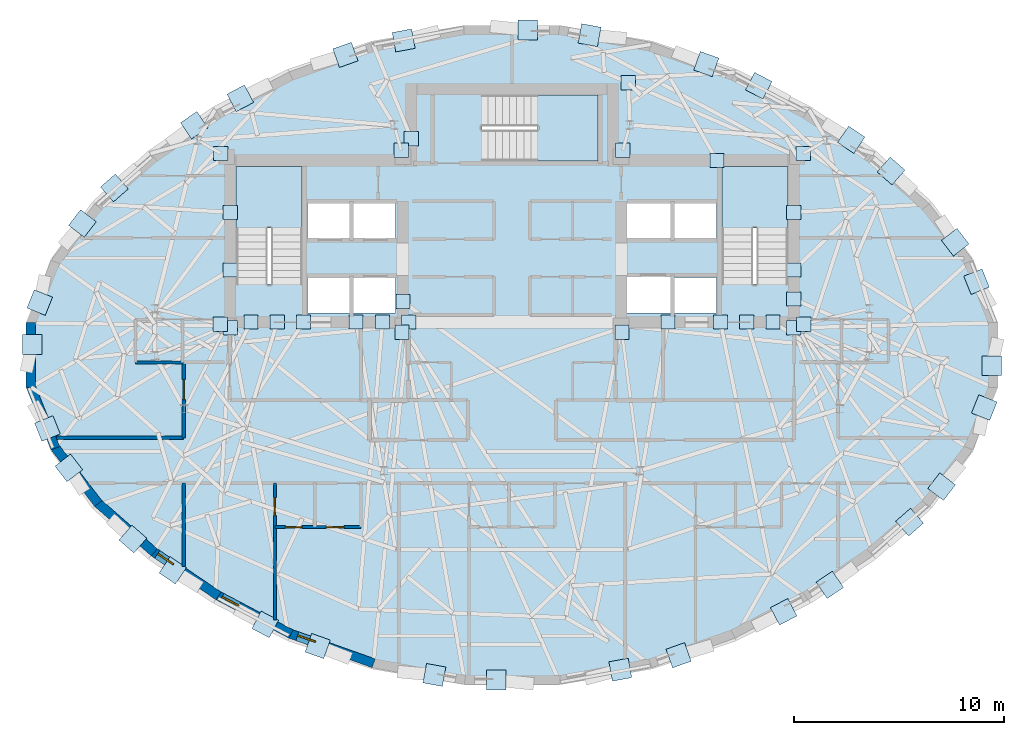
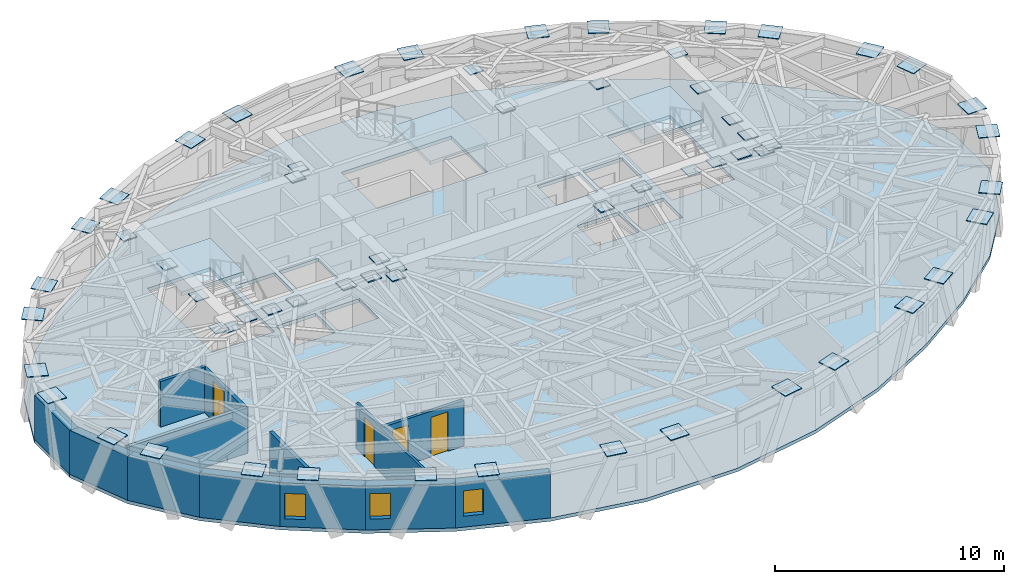
# One storey, part 5 of 13: 61 plates, 13 walls, 4 doors, 4 slabs, 3 windows, 7 openings, 3 elements without a shape of their own.
"""IFC4 building model written with IfcOpenShell, lengths in metres."""

import ifcopenshell
import ifcopenshell.guid

model = None  # the IFC model being written
_history = None  # IfcOwnerHistory: only IFC2X3 demands one
_inside = {}  # id of a spatial element -> (the spatial element, [elements in it])
_under = {}  # id of a project, library or spatial element -> (it, [spatial elements below it])
_declared = {}  # id of a project -> (the project, [libraries it declares])
_typed = {}  # id of a type object -> (the type object, [elements of that type])
_made_of = {}  # id of a material, layer set ... -> (it, [elements and type objects made of it])


def new_model(schema):
    """Start an empty IFC model of exactly this schema.

    Asked for "IFC4X3", IfcOpenShell would pick the latest addendum, in which some entities
    have other attributes; the version numbers below select the first issue.
    IFC2X3 requires an IfcOwnerHistory on every rooted entity: one is made here for all.
    """
    global model, _history
    if schema == "IFC4X3":
        model = ifcopenshell.file(schema_version=(4, 3, 0, 0))
    else:
        model = ifcopenshell.file(schema=schema)
    _inside.clear()
    _under.clear()
    _declared.clear()
    _typed.clear()
    _made_of.clear()
    _history = None
    if model.schema == "IFC2X3":
        org = make("IfcOrganization", Name="unknown")
        user = make(
            "IfcPersonAndOrganization",
            ThePerson=make("IfcPerson", FamilyName="unknown"),
            TheOrganization=org,
        )
        app = make(
            "IfcApplication",
            ApplicationDeveloper=org,
            Version="unknown",
            ApplicationFullName="unknown",
            ApplicationIdentifier="unknown",
        )
        _history = make(
            "IfcOwnerHistory",
            OwningUser=user,
            OwningApplication=app,
            ChangeAction="ADDED",
            CreationDate=0,
        )
    return model


def make(cls, **values):
    """One entity of the class cls with the attributes given. An attribute that is None is left unset."""
    return model.create_entity(
        cls, **{name: value for name, value in values.items() if value is not None}
    )


def rooted(cls, **values):
    """An entity with a GlobalId (a new one), such as an element, a storey or a relation."""
    return make(cls, GlobalId=ifcopenshell.guid.new(), OwnerHistory=_history, **values)


def si_unit(unit_type, name, prefix=None):
    """IfcSIUnit, for example si_unit("LENGTHUNIT", "METRE", prefix="MILLI")."""
    return make("IfcSIUnit", UnitType=unit_type, Prefix=prefix, Name=name)


def assignment(units):
    """IfcUnitAssignment: the units of a project."""
    return None if units is None else make("IfcUnitAssignment", Units=units)


def point(xyz):
    """IfcCartesianPoint."""
    return None if xyz is None else make("IfcCartesianPoint", Coordinates=xyz)


def direction(xyz):
    """IfcDirection."""
    return None if xyz is None else make("IfcDirection", DirectionRatios=xyz)


def frame(location, z_axis=None, x_axis=None):
    """IfcAxis2Placement3D, a coordinate frame: its origin and axes. An axis left out is left unset."""
    return make(
        "IfcAxis2Placement3D",
        Location=point(location),
        Axis=direction(z_axis),
        RefDirection=direction(x_axis),
    )


def frame_2d(location, x_axis=None):
    """IfcAxis2Placement2D, a coordinate frame in the plane: its origin and x axis."""
    return make(
        "IfcAxis2Placement2D", Location=point(location), RefDirection=direction(x_axis)
    )


def origin():
    """The frame at (0, 0, 0) with its axes left unset."""
    return frame((0.0, 0.0, 0.0))


def origin_2d():
    """The frame at (0, 0) in the plane with its x axis left unset."""
    return frame_2d((0.0, 0.0))


def place(relative_to, where):
    """IfcLocalPlacement: puts the frame where relative to a parent placement (None: the world)."""
    return make(
        "IfcLocalPlacement", PlacementRelTo=relative_to, RelativePlacement=where
    )


def context(
    kind, dimensions, precision=None, world=None, true_north=None, identifier=None
):
    """IfcGeometricRepresentationContext, for example the 3D "Model" context."""
    return make(
        "IfcGeometricRepresentationContext",
        ContextIdentifier=identifier,
        ContextType=kind,
        CoordinateSpaceDimension=dimensions,
        Precision=precision,
        WorldCoordinateSystem=world,
        TrueNorth=true_north,
    )


def subcontext(parent, identifier, kind, view, scale=None):
    """IfcGeometricRepresentationSubContext, for example "Body" below "Model"."""
    return make(
        "IfcGeometricRepresentationSubContext",
        ContextIdentifier=identifier,
        ContextType=kind,
        ParentContext=parent,
        TargetScale=scale,
        TargetView=view,
    )


def project(units=None, contexts=None):
    """IfcProject with its units and contexts."""
    return rooted(
        "IfcProject",
        Name="project",
        RepresentationContexts=contexts,
        UnitsInContext=assignment(units),
    )


def spatial(cls, under=None, at=None, **own):
    """A site, building, storey or space (cls), placed at a placement, below another one or the project."""
    s = rooted(cls, ObjectPlacement=at, **own)
    if under is not None:
        _under.setdefault(under.id(), (under, []))[1].append(s)
    return s


def polyline(points):
    """IfcPolyline through the points."""
    return make("IfcPolyline", Points=[point(p) for p in points])


def profile(cls, at=None, kind="AREA", **sizes):
    """A parametric profile (cls). Its sizes go by their IFC names, for example OverallWidth=200.0."""
    return make(cls, ProfileType=kind, Position=at, **sizes)


def rectangle(**sizes):
    """IfcRectangleProfileDef."""
    return profile("IfcRectangleProfileDef", **sizes)


def outline(outer, holes=None, kind="AREA"):
    """IfcArbitraryClosedProfileDef: a profile drawn as a closed curve; with holes, ...WithVoids."""
    if holes is None:
        return make("IfcArbitraryClosedProfileDef", ProfileType=kind, OuterCurve=outer)
    return make(
        "IfcArbitraryProfileDefWithVoids",
        ProfileType=kind,
        OuterCurve=outer,
        InnerCurves=holes,
    )


def extrude(swept, where, along, depth):
    """IfcExtrudedAreaSolid: the profile swept, set in the frame where, extruded along a direction by depth."""
    return make(
        "IfcExtrudedAreaSolid",
        SweptArea=swept,
        Position=where,
        ExtrudedDirection=direction(along),
        Depth=depth,
    )


def shape(context_of_items, identifier, shape_type, items):
    """IfcShapeRepresentation: the items that make up one representation, for example the "Body"."""
    return make(
        "IfcShapeRepresentation",
        ContextOfItems=context_of_items,
        RepresentationIdentifier=identifier,
        RepresentationType=shape_type,
        Items=items,
    )


def material(Name=None, Category=None):
    """IfcMaterial."""
    return make("IfcMaterial", Name=Name, Category=Category)


def layer(
    of_material, thickness, ventilated=None, Name=None, Category=None, Priority=None
):
    """IfcMaterialLayer: one layer of a wall or slab, of a material (None: an air gap)."""
    return make(
        "IfcMaterialLayer",
        Material=of_material,
        LayerThickness=thickness,
        IsVentilated=ventilated,
        Name=Name,
        Category=Category,
        Priority=Priority,
    )


def layer_set(layers, Name=None):
    """IfcMaterialLayerSet."""
    return make("IfcMaterialLayerSet", MaterialLayers=layers, LayerSetName=Name)


def made_of(thing, what):
    """Note that an element or type object is made of a material, layer set ...; save() writes the relation."""
    if what is not None:
        _made_of.setdefault(what.id(), (what, []))[1].append(thing)
    return thing


def type_object(cls, material=None, **own):
    """A type object (cls), such as IfcWallType, which elements share."""
    return made_of(rooted(cls, **own), material)


def element(
    cls,
    number,
    at=None,
    inside=None,
    cuts=None,
    type_object=None,
    material=None,
    context=None,
    identifier="Body",
    shape_type=None,
    held_by="IfcProductDefinitionShape",
    body=None,
    shapes=None,
    **own,
):
    """One element of the class cls, such as IfcWall. Its Tag is "e" and its number.

    at: its placement. inside: the storey or other place that contains it. cuts: it is an
    opening in that element (IfcRelVoidsElement). A single representation is given by context,
    identifier, shape_type and body (its items); several are given by shapes. held_by: the class
    of the entity that holds the representations. save() writes the other relations.
    """
    e = rooted(cls, Tag="e%d" % number, ObjectPlacement=at, **own)
    if body is not None:
        shapes = [shape(context, identifier, shape_type, body)]
    if shapes is not None:
        e.Representation = make(held_by, Representations=shapes)
    if inside is not None:
        _inside.setdefault(inside.id(), (inside, []))[1].append(e)
    if cuts is not None:
        rooted(
            "IfcRelVoidsElement", RelatingBuildingElement=cuts, RelatedOpeningElement=e
        )
    if type_object is not None:
        _typed.setdefault(type_object.id(), (type_object, []))[1].append(e)
    return made_of(e, material)


def fill(opening, filler):
    """IfcRelFillsElement: the door or window that sits in an opening."""
    return rooted(
        "IfcRelFillsElement",
        RelatingOpeningElement=opening,
        RelatedBuildingElement=filler,
    )


def aggregate(whole, parts):
    """IfcRelAggregates: a whole, such as a stair, and the parts it consists of."""
    return rooted("IfcRelAggregates", RelatingObject=whole, RelatedObjects=parts)


def save(model, path):
    """Write the relations noted so far, then the file.

    IfcRelAggregates (storeys below a building ...), IfcRelContainedInSpatialStructure (elements
    in a storey), IfcRelDefinesByType, IfcRelAssociatesMaterial and IfcRelDeclares: one each for
    every whole, place, type object, material and project.
    """
    for whole, parts in _under.values():
        aggregate(whole, parts)
    for where, things in _inside.values():
        rooted(
            "IfcRelContainedInSpatialStructure",
            RelatedElements=things,
            RelatingStructure=where,
        )
    for kind, things in _typed.values():
        rooted("IfcRelDefinesByType", RelatedObjects=things, RelatingType=kind)
    for what, things in _made_of.values():
        rooted("IfcRelAssociatesMaterial", RelatedObjects=things, RelatingMaterial=what)
    for by, libraries in _declared.values():
        rooted("IfcRelDeclares", RelatingContext=by, RelatedDefinitions=libraries)
    model.write(path)


model = new_model("IFC4")

# Units and contexts
model_context = context("Model", 3, precision=1e-05, world=origin(), true_north=direction((0.0, 1.0)))
body_context = subcontext(model_context, "Body", "Model", "MODEL_VIEW")
ifc_project = project(units=[si_unit("LENGTHUNIT", "METRE"), si_unit("AREAUNIT", "SQUARE_METRE"), si_unit("VOLUMEUNIT", "CUBIC_METRE"), si_unit("PLANEANGLEUNIT", "RADIAN"), si_unit("MASSUNIT", "GRAM", prefix="KILO")], contexts=[model_context])

# Site, building, storey
site_placement = place(None, origin())
site = spatial("IfcSite", under=ifc_project, at=site_placement, CompositionType="ELEMENT")
building_placement = place(site_placement, origin())
building = spatial("IfcBuilding", under=site, at=building_placement, Name="Keldmark Tower", CompositionType="ELEMENT")
storey_placement = place(building_placement, frame((0.0, 0.0, 219.449951171875)))
storey = spatial("IfcBuildingStorey", under=building, at=storey_placement, Name="L61", CompositionType="ELEMENT", Elevation=219.449951171875)

# Plates
ifc_material_1 = material(Name="Steel ASTM A572 Grade 50", Category="steel")
ifc_layer_1 = layer(ifc_material_1, 0.06005859375)
ifc_layer_set_1 = layer_set([ifc_layer_1], Name="Steel ASTM A572 Grade 50")
plate_type_1 = type_object("IfcPlateType", Name="Belt Truss Kink Node Assembly KN01 60 mm", PredefinedType="USERDEFINED", material=ifc_layer_set_1)
for number, where, z_axis, x_axis, name in (
    (1, (13.91162109375, 1.473388671875, 2.67822265625), (0.0, 0.0, 1.0), (1.0, 0.0, 0.0), "L61 Core Wall Cast-In Embed Plate 1787"),
    (2, (13.878173828125, 9.608154296875, 2.67822265625), (0.0, 0.0, 1.0), (1.0, 0.0, 0.0), "L61 Core Wall Cast-In Embed Plate 1788"),
    (3, (5.28515625, 9.758544921875, 2.67822265625), (0.0, 0.0, 1.0), (1.0, 0.0, 0.0), "L61 Core Wall Cast-In Embed Plate 1789"),
    (4, (-5.28515625, 9.758544921875, 2.67822265625), (0.0, 0.0, 1.0), (1.0, 0.0, 0.0), "L61 Core Wall Cast-In Embed Plate 1790"),
    (5, (-13.878173828125, 9.608154296875, 2.67822265625), (0.0, 0.0, 1.0), (1.0, 0.0, 0.0), "L61 Core Wall Cast-In Embed Plate 1791"),
    (6, (-13.91162109375, 1.473388671875, 2.67822265625), (0.0, 0.0, 1.0), (1.0, 0.0, 0.0), "L61 Core Wall Cast-In Embed Plate 1792"),
    (7, (-5.24072265625, 1.08251953125, 2.67822265625), (0.0, 0.0, 1.0), (1.0, 0.0, 0.0), "L61 Core Wall Cast-In Embed Plate 1793"),
    (8, (5.24072265625, 1.08251953125, 2.67822265625), (0.0, 0.0, 1.0), (1.0, 0.0, 0.0), "L61 Core Wall Cast-In Embed Plate 1794"),
    (9, (-11.19287109375, 1.574951171875, 2.67431640625), (0.0, 0.0, 1.0), (1.0, 0.0, 0.0), "L61 Core Wall Cast-In Embed Plate 1795"),
    (10, (-7.43212890625, 1.574951171875, 2.67431640625), (0.0, 0.0, 1.0), (1.0, 0.0, 0.0), "L61 Core Wall Cast-In Embed Plate 1796"),
    (11, (7.43212890625, 1.574951171875, 2.67431640625), (0.0, 0.0, 1.0), (1.0, 0.0, 0.0), "L61 Core Wall Cast-In Embed Plate 1797"),
    (12, (11.19287109375, 1.574951171875, 2.67431640625), (0.0, 0.0, 1.0), (1.0, 0.0, 0.0), "L61 Core Wall Cast-In Embed Plate 1798"),
    (13, (13.425048828125, 4.050048828125, 2.67431640625), (0.0, 0.0, 1.0), (1.0, 0.0, 0.0), "L61 Core Wall Cast-In Embed Plate 1799"),
    (14, (-12.4462890625, 1.574951171875, 2.67431640625), (0.0, 0.0, 1.0), (1.0, 0.0, 0.0), "L61 Core Wall Cast-In Embed Plate 1800"),
    (15, (-6.1787109375, 1.574951171875, 2.67431640625), (0.0, 0.0, 1.0), (1.0, 0.0, 0.0), "L61 Core Wall Cast-In Embed Plate 1801"),
    (16, (9.939208984375, 1.574951171875, 2.67431640625), (0.0, 0.0, 1.0), (1.0, 0.0, 0.0), "L61 Core Wall Cast-In Embed Plate 1802"),
    (17, (13.425048828125, 1.300048828125, 2.67431640625), (0.0, 0.0, 1.0), (1.0, 0.0, 0.0), "L61 Core Wall Cast-In Embed Plate 1803"),
    (18, (13.425048828125, 6.800048828125, 2.67431640625), (0.0, 0.0, 1.0), (1.0, 0.0, 0.0), "L61 Core Wall Cast-In Embed Plate 1804"),
    (19, (-13.425048828125, 4.050048828125, 2.67431640625), (0.0, 0.0, 1.0), (1.0, 0.0, 0.0), "L61 Core Wall Cast-In Embed Plate 1805"),
    (20, (-13.425048828125, 1.300048828125, 2.67431640625), (0.0, 0.0, 1.0), (1.0, 0.0, 0.0), "L61 Core Wall Cast-In Embed Plate 1806"),
    (21, (-13.425048828125, 6.800048828125, 2.67431640625), (0.0, 0.0, 1.0), (1.0, 0.0, 0.0), "L61 Core Wall Cast-In Embed Plate 1807"),
    (22, (-9.939208984375, 1.574951171875, 2.67431640625), (0.0, 0.0, 1.0), (1.0, 0.0, 0.0), "L61 Core Wall Cast-In Embed Plate 1808"),
    (23, (-4.925048828125, 1.574951171875, 2.67431640625), (0.0, 0.0, 1.0), (1.0, 0.0, 0.0), "L61 Core Wall Cast-In Embed Plate 1809"),
    (24, (-5.199951171875, 2.550048828125, 2.67431640625), (0.0, 0.0, 1.0), (1.0, 0.0, 0.0), "L61 Core Wall Cast-In Embed Plate 1810"),
    (25, (12.4462890625, 1.574951171875, 2.67431640625), (0.0, 0.0, 1.0), (1.0, 0.0, 0.0), "L61 Core Wall Cast-In Embed Plate 1811"),
    (26, (13.425048828125, 2.675048828125, 2.67431640625), (0.0, 0.0, 1.0), (1.0, 0.0, 0.0), "L61 Core Wall Cast-In Embed Plate 1812"),
    (27, (9.767822265625, 9.27490234375, 2.67431640625), (0.0, 0.0, 1.0), (1.0, 0.0, 0.0), "L61 Core Wall Cast-In Embed Plate 1813"),
    (28, (5.541748046875, 12.982177734375, 2.67431640625), (0.0, 0.0, 1.0), (1.0, 0.0, 0.0), "L61 Core Wall Cast-In Embed Plate 1814"),
    (29, (-4.800048828125, 10.316650390625, 2.67431640625), (0.0, 0.0, 1.0), (1.0, 0.0, 0.0), "L61 Core Wall Cast-In Embed Plate 1815"),
):
    element("IfcPlate", number, at=place(storey_placement, frame(where, z_axis=z_axis, x_axis=x_axis)), inside=storey, type_object=plate_type_1, Name=name, ObjectType="CAP PLATE", PredefinedType="USERDEFINED", context=body_context, shape_type="SweptSolid", body=[
        extrude(rectangle(XDim=0.679931640625, YDim=0.679931640625, at=origin_2d()), origin(), (0.0, 0.0, 1.0), 0.054931640625),
    ])
ifc_material_2 = material(Name="Steel ASTM A572 Grade 50", Category="steel")
ifc_layer_2 = layer(ifc_material_2, 0.0400390625)
ifc_layer_set_2 = layer_set([ifc_layer_2], Name="Steel ASTM A572 Grade 50")
plate_type_2 = type_object("IfcPlateType", Name="Diagrid Node Assembly DN05 40 mm", PredefinedType="USERDEFINED", material=ifc_layer_set_2)
for number, where, z_axis, x_axis, name in (
    (30, (22.144775390625, 3.5, 2.830078125), (0.0, 0.0, 1.0), (-0.371205778547, 0.928550628654, 0.0), "L61 Diagrid Node Assembly 01"),
    (31, (21.127685546875, 5.379638671875, 2.830078125), (0.0, 0.0, 1.0), (-0.610145163901, 0.792289643355, 0.0), "L61 Diagrid Node Assembly 02"),
    (32, (18.072265625, 8.77392578125, 2.830078125), (0.0, 0.0, 1.0), (-0.752759694735, 0.65829540632, 0.0), "L61 Diagrid Node Assembly 03"),
    (33, (16.172119140625, 10.261962890625, 2.830078125), (0.0, 0.0, 1.0), (-0.827668733006, 0.561216953062, 0.0), "L61 Diagrid Node Assembly 04"),
    (34, (11.763427734375, 12.83984375, 2.830078125), (0.0, 0.0, 1.0), (-0.885068889048, 0.465460053753, 0.0), "L61 Diagrid Node Assembly 05"),
    (35, (9.2626953125, 13.870849609375, 2.830078125), (0.0, 0.0, 1.0), (-0.942583216448, 0.333971376126, 0.0), "L61 Diagrid Node Assembly 06"),
    (36, (3.69677734375, 15.248779296875, 2.830078125), (0.0, 0.0, 1.0), (-0.983508397823, 0.180862465458, 0.0), "L61 Diagrid Node Assembly 07"),
    (37, (0.7470703125, 15.493896484375, 2.830078125), (0.0, 0.0, 1.0), (-1.0, 0.0, 0.0), "L61 Diagrid Node Assembly 08"),
    (38, (-5.163818359375, 14.9990234375, 2.830078125), (0.0, 0.0, 1.0), (-0.983508397823, -0.180862465458, 0.0), "L61 Diagrid Node Assembly 09"),
    (39, (-7.940673828125, 14.31005859375, 2.830078125), (0.0, 0.0, 1.0), (-0.942583216448, -0.333971376126, 0.0), "L61 Diagrid Node Assembly 10"),
    (40, (-12.95068359375, 12.239501953125, 2.830078125), (0.0, 0.0, 1.0), (-0.885068889048, -0.465460053753, 0.0), "L61 Diagrid Node Assembly 11"),
    (41, (-15.1494140625, 10.952880859375, 2.830078125), (0.0, 0.0, 1.0), (-0.827668733006, -0.561216953062, 0.0), "L61 Diagrid Node Assembly 12"),
    (42, (-18.95458984375, 7.965576171875, 2.830078125), (0.0, 0.0, 1.0), (-0.752759694735, -0.65829540632, 0.0), "L61 Diagrid Node Assembly 13"),
    (43, (-20.477783203125, 6.272705078125, 2.830078125), (0.0, 0.0, 1.0), (-0.610145163901, -0.792289643355, 0.0), "L61 Diagrid Node Assembly 14"),
    (44, (-22.511962890625, 2.50146484375, 2.830078125), (0.0, 0.0, 1.0), (-0.371205778547, -0.928550628654, 0.0), "L61 Diagrid Node Assembly 15"),
    (45, (-22.87451171875, 0.504638671875, 2.830078125), (0.0, 0.0, 1.0), (0.0, -1.0, 0.0), "L61 Diagrid Node Assembly 16"),
    (46, (-22.144775390625, -3.5, 2.830078125), (0.0, 0.0, 1.0), (0.371205778547, -0.928550628654, 0.0), "L61 Diagrid Node Assembly 17"),
    (47, (-21.127685546875, -5.379638671875, 2.830078125), (0.0, 0.0, 1.0), (0.610145163901, -0.792289643355, 0.0), "L61 Diagrid Node Assembly 18"),
    (48, (-18.072265625, -8.77392578125, 2.830078125), (0.0, 0.0, 1.0), (0.752759694735, -0.65829540632, 0.0), "L61 Diagrid Node Assembly 19"),
    (49, (-16.172119140625, -10.261962890625, 2.830078125), (0.0, 0.0, 1.0), (0.827668733006, -0.561216953062, 0.0), "L61 Diagrid Node Assembly 20"),
    (50, (-11.763427734375, -12.83984375, 2.830078125), (0.0, 0.0, 1.0), (0.885068889048, -0.465460053753, 0.0), "L61 Diagrid Node Assembly 21"),
    (51, (-9.2626953125, -13.870849609375, 2.830078125), (0.0, 0.0, 1.0), (0.942583216448, -0.333971376126, 0.0), "L61 Diagrid Node Assembly 22"),
    (52, (-3.69677734375, -15.248779296875, 2.830078125), (0.0, 0.0, 1.0), (0.983508397823, -0.180862465458, 0.0), "L61 Diagrid Node Assembly 23"),
    (53, (-0.7470703125, -15.493896484375, 2.830078125), (0.0, 0.0, 1.0), (1.0, 0.0, 0.0), "L61 Diagrid Node Assembly 24"),
    (54, (5.163818359375, -14.9990234375, 2.830078125), (0.0, 0.0, 1.0), (0.983508397823, 0.180862465458, 0.0), "L61 Diagrid Node Assembly 25"),
    (55, (7.940673828125, -14.31005859375, 2.830078125), (0.0, 0.0, 1.0), (0.942583216448, 0.333971376126, 0.0), "L61 Diagrid Node Assembly 26"),
    (56, (12.95068359375, -12.239501953125, 2.830078125), (0.0, 0.0, 1.0), (0.885068889048, 0.465460053753, 0.0), "L61 Diagrid Node Assembly 27"),
    (57, (15.1494140625, -10.952880859375, 2.830078125), (0.0, 0.0, 1.0), (0.827668733006, 0.561216953062, 0.0), "L61 Diagrid Node Assembly 28"),
    (58, (18.95458984375, -7.965576171875, 2.830078125), (0.0, 0.0, 1.0), (0.752759694735, 0.65829540632, 0.0), "L61 Diagrid Node Assembly 29"),
    (59, (20.477783203125, -6.272705078125, 2.830078125), (0.0, 0.0, 1.0), (0.610145163901, 0.792289643355, 0.0), "L61 Diagrid Node Assembly 30"),
    (60, (22.511962890625, -2.50146484375, 2.830078125), (0.0, 0.0, 1.0), (0.371205778547, 0.928550628654, 0.0), "L61 Diagrid Node Assembly 31"),
    (61, (22.87451171875, -0.504638671875, 2.830078125), (0.0, 0.0, 1.0), (0.0, 1.0, 0.0), "L61 Diagrid Node Assembly 32"),
):
    element("IfcPlate", number, at=place(storey_placement, frame(where, z_axis=z_axis, x_axis=x_axis)), inside=storey, type_object=plate_type_2, Name=name, ObjectType="GUSSET", PredefinedType="USERDEFINED", context=body_context, shape_type="SweptSolid", body=[
        extrude(rectangle(XDim=0.93994140625, YDim=0.93994140625, at=origin_2d()), origin(), (0.0, 0.0, 1.0), 0.0400390625),
    ])

# Slab
ifc_material_3 = material(Name="Concrete C35/45", Category="concrete")
ifc_layer_3 = layer(ifc_material_3, 0.179931640625)
ifc_layer_set_3 = layer_set([ifc_layer_3], Name="Concrete C35/45")
slab_type_1 = type_object("IfcSlabType", Name="Hotel and Residential Slab 180 mm", PredefinedType="FLOOR", material=ifc_layer_set_3)
slab_1_placement = place(storey_placement, frame((0.0, 0.0, -0.179931640625)))
element("IfcSlab", 62, at=slab_1_placement, inside=storey, type_object=slab_type_1, Name="L61 Composite Structural Floor Slab", PredefinedType="FLOOR", context=body_context, shape_type="SweptSolid", body=[
    extrude(outline(polyline([(23.1591796875, 1.547119140625), (21.970458984375, 4.52001953125), (19.89697265625, 7.212890625), (17.198486328125, 9.572509765625), (14.114501953125, 11.664306640625), (10.635009765625, 13.494140625), (6.664794921875, 14.900634765625), (2.281005859375, 15.706787109375), (-2.281005859375, 15.706787109375), (-6.664794921875, 14.900634765625), (-10.635009765625, 13.494140625), (-14.114501953125, 11.664306640625), (-17.198486328125, 9.572509765625), (-19.89697265625, 7.212890625), (-21.970458984375, 4.52001953125), (-23.1591796875, 1.547119140625), (-23.1591796875, -1.547119140625), (-21.970458984375, -4.52001953125), (-19.89697265625, -7.212890625), (-17.198486328125, -9.572509765625), (-14.114501953125, -11.664306640625), (-10.635009765625, -13.494140625), (-6.664794921875, -14.900634765625), (-2.281005859375, -15.706787109375), (2.281005859375, -15.706787109375), (6.664794921875, -14.900634765625), (10.635009765625, -13.494140625), (14.114501953125, -11.664306640625), (17.198486328125, -9.572509765625), (19.89697265625, -7.212890625), (21.970458984375, -4.52001953125), (23.1591796875, -1.547119140625), (23.1591796875, 1.547119140625)]), holes=[polyline([(-10.0, 3.385009765625), (-10.0, 9.0), (-13.14990234375, 9.0), (-13.14990234375, 3.385009765625), (-10.0, 3.385009765625)]), polyline([(13.14990234375, 3.385009765625), (13.14990234375, 9.0), (10.0, 9.0), (10.0, 3.385009765625), (13.14990234375, 3.385009765625)]), polyline([(-1.43994140625, 9.25), (4.10498046875, 9.25), (4.10498046875, 12.39990234375), (-1.43994140625, 12.39990234375), (-1.43994140625, 9.25)]), polyline([(-9.75, 2.0), (-7.75, 2.0), (-7.75, 3.699951171875), (-9.75, 3.699951171875), (-9.75, 2.0)]), polyline([(7.75, 2.0), (9.75, 2.0), (9.75, 3.699951171875), (7.75, 3.699951171875), (7.75, 2.0)]), polyline([(5.449951171875, 2.0), (7.550048828125, 2.0), (7.550048828125, 3.75), (5.449951171875, 3.75), (5.449951171875, 2.0)]), polyline([(-9.75, 5.550048828125), (-7.75, 5.550048828125), (-7.75, 7.25), (-9.75, 7.25), (-9.75, 5.550048828125)]), polyline([(-7.550048828125, 5.550048828125), (-5.550048828125, 5.550048828125), (-5.550048828125, 7.25), (-7.550048828125, 7.25), (-7.550048828125, 5.550048828125)]), polyline([(-7.550048828125, 2.0), (-5.550048828125, 2.0), (-5.550048828125, 3.699951171875), (-7.550048828125, 3.699951171875), (-7.550048828125, 2.0)]), polyline([(5.449951171875, 5.550048828125), (7.550048828125, 5.550048828125), (7.550048828125, 7.25), (5.449951171875, 7.25), (5.449951171875, 5.550048828125)]), polyline([(7.75, 5.550048828125), (9.75, 5.550048828125), (9.75, 7.25), (7.75, 7.25), (7.75, 5.550048828125)])]), origin(), (0.0, 0.0, 1.0), 0.179931640625),
])

# Stair, slab
ifc_material_4 = material(Name="Concrete C40/50", Category="concrete")
stair_type = type_object("IfcStairType", Name="Precast Concrete Core Exit Stair", PredefinedType="HALF_TURN_STAIR", material=ifc_material_4)
stair_1_placement = place(storey_placement, origin())
stair_1 = element("IfcStair", 63, at=stair_1_placement, inside=storey, type_object=stair_type, Name="L61 Exit Stair ST1", PredefinedType="HALF_TURN_STAIR")
ifc_material_5 = material(Name="Concrete C40/50", Category="concrete")
ifc_layer_4 = layer(ifc_material_5, 0.199951171875)
ifc_layer_set_4 = layer_set([ifc_layer_4], Name="Concrete C40/50")
slab_type_2 = type_object("IfcSlabType", Name="Reinforced Concrete Stair Landing 200 mm", PredefinedType="LANDING", material=ifc_layer_set_4)
slab_2_placement = place(storey_placement, frame((0.0, 0.0, 1.375)))
slab_2 = element("IfcSlab", 64, at=slab_2_placement, type_object=slab_type_2, Name="ST1 landing 1", PredefinedType="LANDING", context=body_context, shape_type="SweptSolid", body=[
    extrude(outline(polyline([(-10.0, 6.050048828125), (-10.0, 9.0), (-13.14990234375, 9.0), (-13.14990234375, 6.050048828125), (-10.0, 6.050048828125)])), origin(), (0.0, 0.0, 1.0), 0.199951171875),
])
aggregate(stair_1, [slab_2])

stair_2_placement = place(storey_placement, origin())
stair_2 = element("IfcStair", 65, at=stair_2_placement, inside=storey, type_object=stair_type, Name="L61 Exit Stair ST2", PredefinedType="HALF_TURN_STAIR")
slab_3_placement = place(storey_placement, frame((0.0, 0.0, 1.375)))
slab_3 = element("IfcSlab", 66, at=slab_3_placement, type_object=slab_type_2, Name="ST2 landing 1", PredefinedType="LANDING", context=body_context, shape_type="SweptSolid", body=[
    extrude(outline(polyline([(13.14990234375, 6.050048828125), (13.14990234375, 9.0), (10.0, 9.0), (10.0, 6.050048828125), (13.14990234375, 6.050048828125)])), origin(), (0.0, 0.0, 1.0), 0.199951171875),
])
aggregate(stair_2, [slab_3])

stair_3_placement = place(storey_placement, origin())
stair_3 = element("IfcStair", 67, at=stair_3_placement, inside=storey, type_object=stair_type, Name="L61 Exit Stair ST3", PredefinedType="HALF_TURN_STAIR")
slab_4_placement = place(storey_placement, frame((0.0, 0.0, 1.375)))
slab_4 = element("IfcSlab", 68, at=slab_4_placement, type_object=slab_type_2, Name="ST3 landing 1", PredefinedType="LANDING", context=body_context, shape_type="SweptSolid", body=[
    extrude(outline(polyline([(1.22509765625, 9.25), (4.10498046875, 9.25), (4.10498046875, 12.39990234375), (1.22509765625, 12.39990234375), (1.22509765625, 9.25)])), origin(), (0.0, 0.0, 1.0), 0.199951171875),
])
aggregate(stair_3, [slab_4])

# Wall, opening, door
ifc_material_6 = material(Name="Acoustic Gypsum Board Interior Partition", Category="gypsum")
ifc_layer_5 = layer(ifc_material_6, 0.1298828125)
ifc_layer_set_5 = layer_set([ifc_layer_5], Name="Acoustic Gypsum Board Interior Partition")
wall_type_1 = type_object("IfcWallType", Name="Interior Partition 130 mm", PredefinedType="PARTITIONING", material=ifc_layer_set_5)
wall_1_placement = place(storey_placement, frame((-11.300048828125, -12.63818359375, 0.0), z_axis=(0.0, 0.0, 1.0), x_axis=(0.0, 1.0, 0.0)))
wall_1 = element("IfcWall", 69, at=wall_1_placement, inside=storey, type_object=wall_type_1, Name="L61 Interior Partition 130 mm UA-BR1-E", PredefinedType="PARTITIONING", context=body_context, shape_type="SweptSolid", body=[
    extrude(rectangle(XDim=6.5380859375, YDim=0.1298828125, at=frame_2d((3.26904296875, 0.0))), origin(), (0.0, 0.0, 1.0), 2.423095703125),
])
opening_1_placement = place(wall_1_placement, frame((4.98876953125, 0.0, 0.0)))
opening_1 = element("IfcOpeningElement", 70, at=opening_1_placement, cuts=wall_1, Name="Opening D-BR085", PredefinedType="OPENING", context=body_context, shape_type="SweptSolid", body=[
    extrude(rectangle(XDim=0.85009765625, YDim=2.10009765625, at=frame_2d((0.425048828125, 1.050048828125))), frame((0.0, 0.074951171875, 0.0), z_axis=(0.0, -1.0, 0.0), x_axis=(1.0, 0.0, 0.0)), (0.0, 0.0, 1.0), 0.14990234375),
])
ifc_material_7 = material(Name="Solid-Core Stained Walnut Wood", Category="wood")
door_type_1 = type_object("IfcDoorType", Name="Bedroom Door 850x2100", OperationType="NOTDEFINED", PredefinedType="DOOR", material=ifc_material_7)
door_1_placement = place(opening_1_placement, origin())
door_1 = element("IfcDoor", 71, at=door_1_placement, inside=storey, type_object=door_type_1, Name="L61 Bedroom Door 850x2100 D-UA-BR1-L61", OperationType="SINGLE_SWING_RIGHT", OverallHeight=2.10009765625, OverallWidth=0.85009765625, PredefinedType="DOOR", context=body_context, shape_type="SweptSolid", body=[
    extrude(rectangle(XDim=0.85009765625, YDim=2.10009765625, at=frame_2d((0.425048828125, 1.050048828125))), frame((0.0, 0.02490234375, 0.0), z_axis=(0.0, -1.0, 0.0), x_axis=(1.0, 0.0, 0.0)), (0.0, 0.0, 1.0), 0.050048828125),
])
fill(opening_1, door_1)

# Wall
ifc_material_8 = material(Name="Type X Fire-Rated Gypsum Partition Assembly", Category="gypsum")
ifc_layer_6 = layer(ifc_material_8, 0.1650390625)
ifc_layer_set_6 = layer_set([ifc_layer_6], Name="Type X Fire-Rated Gypsum Partition Assembly")
wall_type_2 = type_object("IfcWallType", Name="Rated Partition 165 mm", PredefinedType="PARTITIONING", material=ifc_layer_set_6)
wall_2_placement = place(storey_placement, frame((-21.7158203125, -3.949951171875, 0.0), z_axis=(0.0, 0.0, 1.0), x_axis=(1.0, 0.0, 0.0)))
element("IfcWall", 72, at=wall_2_placement, inside=storey, type_object=wall_type_2, Name="L61 Rated Partition 165 mm RCOR-WN-OUT", PredefinedType="PARTITIONING", context=body_context, shape_type="SweptSolid", body=[
    extrude(rectangle(XDim=6.06591796875, YDim=0.1650390625, at=frame_2d((3.032958984375, 0.0))), origin(), (0.0, 0.0, 1.0), 2.423095703125),
])

# Wall, opening, door
wall_3_placement = place(storey_placement, frame((-15.64990234375, -3.949951171875, 0.0), z_axis=(0.0, 0.0, 1.0), x_axis=(0.0, 1.0, 0.0)))
wall_3 = element("IfcWall", 73, at=wall_3_placement, inside=storey, type_object=wall_type_2, Name="L61 Rated Partition 165 mm RCOR-VW", PredefinedType="PARTITIONING", context=body_context, shape_type="SweptSolid", body=[
    extrude(rectangle(XDim=3.599853515625, YDim=0.1650390625, at=frame_2d((1.7998046875, 0.0))), origin(), (0.0, 0.0, 1.0), 2.35693359375),
])
opening_2_placement = place(wall_3_placement, frame((1.830078125, 0.0, 0.0)))
opening_2 = element("IfcOpeningElement", 74, at=opening_2_placement, cuts=wall_3, Name="Opening D-AP095", PredefinedType="OPENING", context=body_context, shape_type="SweptSolid", body=[
    extrude(rectangle(XDim=0.949951171875, YDim=2.14990234375, at=frame_2d((0.47509765625, 1.074951171875))), frame((0.0, 0.092529296875, 0.0), z_axis=(0.0, -1.0, 0.0), x_axis=(1.0, 0.0, 0.0)), (0.0, 0.0, 1.0), 0.18505859375),
])
ifc_material_9 = material(Name="Solid-Core Walnut Fire-Rated Entry Assembly", Category="wood")
door_type_2 = type_object("IfcDoorType", Name="Apartment Entry Door 950x2150", OperationType="NOTDEFINED", PredefinedType="DOOR", material=ifc_material_9)
door_2_placement = place(opening_2_placement, origin())
door_2 = element("IfcDoor", 75, at=door_2_placement, inside=storey, type_object=door_type_2, Name="L61 Apartment Entry Door 950x2150 D-UD-ENT-L61", OperationType="SINGLE_SWING_RIGHT", OverallHeight=2.14990234375, OverallWidth=0.949951171875, PredefinedType="DOOR", context=body_context, shape_type="SweptSolid", body=[
    extrude(rectangle(XDim=0.949951171875, YDim=2.14990234375, at=frame_2d((0.47509765625, 1.074951171875))), frame((0.0, 0.02490234375, 0.0), z_axis=(0.0, -1.0, 0.0), x_axis=(1.0, 0.0, 0.0)), (0.0, 0.0, 1.0), 0.050048828125),
])
fill(opening_2, door_2)

# Walls
wall_4_placement = place(storey_placement, frame((-15.64990234375, -10.08154296875, 0.0), z_axis=(0.0, 0.0, 1.0), x_axis=(0.0, 1.0, 0.0)))
element("IfcWall", 76, at=wall_4_placement, inside=storey, type_object=wall_type_2, Name="L61 Rated Partition 165 mm RS-WCAP", PredefinedType="PARTITIONING", context=body_context, shape_type="SweptSolid", body=[
    extrude(rectangle(XDim=3.9814453125, YDim=0.1650390625, at=frame_2d((1.99072265625, 0.0))), origin(), (0.0, 0.0, 1.0), 2.423095703125),
])
ifc_material_10 = material(Name="Ironspot Manganese Brick and Kasota Buff Limestone Spandrel Assembly", Category="masonry")
ifc_layer_7 = layer(ifc_material_10, 0.43994140625)
ifc_layer_set_7 = layer_set([ifc_layer_7], Name="Ironspot Manganese Brick and Kasota Buff Limestone Spandrel Assembly")
wall_type_3 = type_object("IfcWallType", Name="Tower Brick Pier and Spandrel Wall 440 mm", PredefinedType="STANDARD", material=ifc_layer_set_7)
wall_5_placement = place(storey_placement, frame((-22.939208984375, -1.547119140625, 0.0), z_axis=(0.0, 0.0, 1.0), x_axis=(0.0, 1.0, 0.0)))
element("IfcWall", 77, at=wall_5_placement, inside=storey, type_object=wall_type_3, Name="L61 Exterior Brick and Spandrel Wall 16", PredefinedType="STANDARD", context=body_context, shape_type="SweptSolid", body=[
    extrude(rectangle(XDim=3.09423828125, YDim=0.43994140625, at=frame_2d((1.547119140625, 0.0))), origin(), (0.0, 0.0, 1.0), 2.3359375),
])
wall_6_placement = place(storey_placement, frame((-21.76611328125, -4.438232421875, 0.0), z_axis=(0.0, 0.0, 1.0), x_axis=(-0.371272350835, 0.928524012347, 0.0)))
element("IfcWall", 78, at=wall_6_placement, inside=storey, type_object=wall_type_3, Name="L61 Exterior Brick and Spandrel Wall 17", PredefinedType="STANDARD", context=body_context, shape_type="SweptSolid", body=[
    extrude(rectangle(XDim=3.20166015625, YDim=0.43994140625, at=frame_2d((1.600830078125, 0.0))), origin(), (0.0, 0.0, 1.0), 2.3359375),
])
wall_7_placement = place(storey_placement, frame((-19.72265625, -7.07861328125, 0.0), z_axis=(0.0, 0.0, 1.0), x_axis=(-0.61008909013, 0.792332822811, 0.0)))
element("IfcWall", 79, at=wall_7_placement, inside=storey, type_object=wall_type_3, Name="L61 Exterior Brick and Spandrel Wall 18", PredefinedType="STANDARD", context=body_context, shape_type="SweptSolid", body=[
    extrude(rectangle(XDim=3.398681640625, YDim=0.43994140625, at=frame_2d((1.69921875, 0.0))), origin(), (0.0, 0.0, 1.0), 2.3359375),
])
wall_8_placement = place(storey_placement, frame((-17.0537109375, -9.406982421875, 0.0), z_axis=(0.0, 0.0, 1.0), x_axis=(-0.752758077019, 0.658297256172, 0.0)))
element("IfcWall", 80, at=wall_8_placement, inside=storey, type_object=wall_type_3, Name="L61 Exterior Brick and Spandrel Wall 19", PredefinedType="STANDARD", context=body_context, shape_type="SweptSolid", body=[
    extrude(rectangle(XDim=3.584716796875, YDim=0.43994140625, at=frame_2d((1.79248046875, 0.0))), origin(), (0.0, 0.0, 1.0), 2.3359375),
])

# Wall, opening, window
wall_9_placement = place(storey_placement, frame((-13.990966796875, -11.482177734375, 0.0), z_axis=(0.0, 0.0, 1.0), x_axis=(-0.827609463482, 0.56130435234, 0.0)))
wall_9 = element("IfcWall", 81, at=wall_9_placement, inside=storey, type_object=wall_type_3, Name="L61 Exterior Brick and Spandrel Wall 20", PredefinedType="STANDARD", context=body_context, shape_type="SweptSolid", body=[
    extrude(rectangle(XDim=3.7265625, YDim=0.43994140625, at=frame_2d((1.86328125, 0.0))), origin(), (0.0, 0.0, 1.0), 2.3359375),
])
opening_3_placement = place(wall_9_placement, frame((2.62646484375, 0.0, 0.419921875)))
opening_3 = element("IfcOpeningElement", 82, at=opening_3_placement, cuts=wall_9, Name="Opening W-09", PredefinedType="OPENING", context=body_context, shape_type="SweptSolid", body=[
    extrude(rectangle(XDim=0.89990234375, YDim=1.35009765625, at=frame_2d((0.449951171875, 0.675048828125))), frame((0.0, 0.22998046875, 0.0), z_axis=(0.0, -1.0, 0.0), x_axis=(1.0, 0.0, 0.0)), (0.0, 0.0, 1.0), 0.4599609375),
])
ifc_material_11 = material(Name="Thermally Broken Anodized Aluminum and Triple Low-E Argon Glazing", Category="aluminium")
window_type = type_object("IfcWindowType", Name="Corner Pier Deep-Set Window 900x1350", PartitioningType="SINGLE_PANEL", PredefinedType="WINDOW", material=ifc_material_11)
window_1_placement = place(opening_3_placement, origin())
window_1 = element("IfcWindow", 83, at=window_1_placement, inside=storey, type_object=window_type, Name="L61 Deep-Set Window 20", OverallHeight=1.35009765625, OverallWidth=0.89990234375, PartitioningType="SINGLE_PANEL", PredefinedType="WINDOW", context=body_context, shape_type="SweptSolid", body=[
    extrude(rectangle(XDim=0.89990234375, YDim=1.35009765625, at=frame_2d((0.449951171875, 0.675048828125))), frame((0.0, -0.010009765625, 0.0), z_axis=(0.0, -1.0, 0.0), x_axis=(1.0, 0.0, 0.0)), (0.0, 0.0, 1.0), 0.06005859375),
])
fill(opening_3, window_1)

wall_10_placement = place(storey_placement, frame((-10.53271484375, -13.299560546875, 0.0), z_axis=(0.0, 0.0, 1.0), x_axis=(-0.885047506895, 0.465500709493, 0.0)))
wall_10 = element("IfcWall", 84, at=wall_10_placement, inside=storey, type_object=wall_type_3, Name="L61 Exterior Brick and Spandrel Wall 21", PredefinedType="STANDARD", context=body_context, shape_type="SweptSolid", body=[
    extrude(rectangle(XDim=3.931396484375, YDim=0.43994140625, at=frame_2d((1.9658203125, 0.0))), origin(), (0.0, 0.0, 1.0), 2.3359375),
])
opening_4_placement = place(wall_10_placement, frame((2.831298828125, 0.0, 0.580078125)))
opening_4 = element("IfcOpeningElement", 85, at=opening_4_placement, cuts=wall_10, Name="Opening W-09", PredefinedType="OPENING", context=body_context, shape_type="SweptSolid", body=[
    extrude(rectangle(XDim=0.89990234375, YDim=1.35009765625, at=frame_2d((0.449951171875, 0.675048828125))), frame((0.0, 0.22998046875, 0.0), z_axis=(0.0, -1.0, 0.0), x_axis=(1.0, 0.0, 0.0)), (0.0, 0.0, 1.0), 0.4599609375),
])
window_2_placement = place(opening_4_placement, origin())
window_2 = element("IfcWindow", 86, at=window_2_placement, inside=storey, type_object=window_type, Name="L61 Deep-Set Window 21", OverallHeight=1.35009765625, OverallWidth=0.89990234375, PartitioningType="SINGLE_PANEL", PredefinedType="WINDOW", context=body_context, shape_type="SweptSolid", body=[
    extrude(rectangle(XDim=0.89990234375, YDim=1.35009765625, at=frame_2d((0.449951171875, 0.675048828125))), frame((0.0, -0.010009765625, 0.0), z_axis=(0.0, -1.0, 0.0), x_axis=(1.0, 0.0, 0.0)), (0.0, 0.0, 1.0), 0.06005859375),
])
fill(opening_4, window_2)

wall_11_placement = place(storey_placement, frame((-6.59130859375, -14.693115234375, 0.0), z_axis=(0.0, 0.0, 1.0), x_axis=(-0.942617344196, 0.333875040128, 0.0)))
wall_11 = element("IfcWall", 87, at=wall_11_placement, inside=storey, type_object=wall_type_3, Name="L61 Exterior Brick and Spandrel Wall 22", PredefinedType="STANDARD", context=body_context, shape_type="SweptSolid", body=[
    extrude(rectangle(XDim=4.2119140625, YDim=0.43994140625, at=frame_2d((2.10595703125, 0.0))), origin(), (0.0, 0.0, 1.0), 2.3359375),
])
opening_5_placement = place(wall_11_placement, frame((2.964111328125, 0.0, 0.580078125)))
opening_5 = element("IfcOpeningElement", 88, at=opening_5_placement, cuts=wall_11, Name="Opening W-09", PredefinedType="OPENING", context=body_context, shape_type="SweptSolid", body=[
    extrude(rectangle(XDim=0.89990234375, YDim=1.35009765625, at=frame_2d((0.449951171875, 0.675048828125))), frame((0.0, 0.22998046875, 0.0), z_axis=(0.0, -1.0, 0.0), x_axis=(1.0, 0.0, 0.0)), (0.0, 0.0, 1.0), 0.4599609375),
])
window_3_placement = place(opening_5_placement, origin())
window_3 = element("IfcWindow", 89, at=window_3_placement, inside=storey, type_object=window_type, Name="L61 Deep-Set Window 22", OverallHeight=1.35009765625, OverallWidth=0.89990234375, PartitioningType="SINGLE_PANEL", PredefinedType="WINDOW", context=body_context, shape_type="SweptSolid", body=[
    extrude(rectangle(XDim=0.89990234375, YDim=1.35009765625, at=frame_2d((0.449951171875, 0.675048828125))), frame((0.0, -0.010009765625, 0.0), z_axis=(0.0, -1.0, 0.0), x_axis=(1.0, 0.0, 0.0)), (0.0, 0.0, 1.0), 0.06005859375),
])
fill(opening_5, window_3)

# Wall, openings, doors
ifc_material_12 = material(Name="Moisture-Resistant Gypsum Plumbing Partition", Category="gypsum")
ifc_layer_8 = layer(ifc_material_12, 0.14990234375)
ifc_layer_set_8 = layer_set([ifc_layer_8], Name="Moisture-Resistant Gypsum Plumbing Partition")
wall_type_4 = type_object("IfcWallType", Name="Wet Wall 150 mm", PredefinedType="PLUMBINGWALL", material=ifc_layer_set_8)
wall_12_placement = place(storey_placement, frame((-11.300048828125, -8.199951171875, 0.0), z_axis=(0.0, 0.0, 1.0), x_axis=(1.0, 0.0, 0.0)))
wall_12 = element("IfcWall", 90, at=wall_12_placement, inside=storey, type_object=wall_type_4, Name="L61 Wet Wall 150 mm UA-BK-S", PredefinedType="PLUMBINGWALL", context=body_context, shape_type="SweptSolid", body=[
    extrude(rectangle(XDim=4.10009765625, YDim=0.14990234375, at=frame_2d((2.050048828125, 0.0))), origin(), (0.0, 0.0, 1.0), 2.423095703125),
])
opening_6_placement = place(wall_12_placement, frame((0.5, 0.0, 0.0)))
opening_6 = element("IfcOpeningElement", 91, at=opening_6_placement, cuts=wall_12, Name="Opening D-BT080", PredefinedType="OPENING", context=body_context, shape_type="SweptSolid", body=[
    extrude(rectangle(XDim=0.800048828125, YDim=2.10009765625, at=frame_2d((0.39990234375, 1.050048828125))), frame((0.0, 0.0849609375, 0.0), z_axis=(0.0, -1.0, 0.0), x_axis=(1.0, 0.0, 0.0)), (0.0, 0.0, 1.0), 0.169921875),
])
opening_7_placement = place(wall_12_placement, frame((2.449951171875, 0.0, 0.0)))
opening_7 = element("IfcOpeningElement", 92, at=opening_7_placement, cuts=wall_12, Name="Opening D-IN085", PredefinedType="OPENING", context=body_context, shape_type="SweptSolid", body=[
    extrude(rectangle(XDim=0.85009765625, YDim=2.10009765625, at=frame_2d((0.425048828125, 1.050048828125))), frame((0.0, 0.0849609375, 0.0), z_axis=(0.0, -1.0, 0.0), x_axis=(1.0, 0.0, 0.0)), (0.0, 0.0, 1.0), 0.169921875),
])
ifc_material_13 = material(Name="Moisture-Sealed Stained Wood", Category="wood")
door_type_3 = type_object("IfcDoorType", Name="Bathroom Door 800x2100", OperationType="NOTDEFINED", PredefinedType="DOOR", material=ifc_material_13)
door_3_placement = place(opening_6_placement, origin())
door_3 = element("IfcDoor", 93, at=door_3_placement, inside=storey, type_object=door_type_3, Name="L61 Bathroom Door 800x2100 D-UA-BATH-L61", OperationType="SINGLE_SWING_LEFT", OverallHeight=2.10009765625, OverallWidth=0.800048828125, PredefinedType="DOOR", context=body_context, shape_type="SweptSolid", body=[
    extrude(rectangle(XDim=0.800048828125, YDim=2.10009765625, at=frame_2d((0.39990234375, 1.050048828125))), frame((0.0, 0.02490234375, 0.0), z_axis=(0.0, -1.0, 0.0), x_axis=(1.0, 0.0, 0.0)), (0.0, 0.0, 1.0), 0.050048828125),
])
fill(opening_6, door_3)
ifc_material_14 = material(Name="Painted Architectural Wood", Category="wood")
door_type_4 = type_object("IfcDoorType", Name="Interior Door 850x2100", OperationType="NOTDEFINED", PredefinedType="DOOR", material=ifc_material_14)
door_4_placement = place(opening_7_placement, origin())
door_4 = element("IfcDoor", 94, at=door_4_placement, inside=storey, type_object=door_type_4, Name="L61 Interior Door 850x2100 D-UA-KIT-L61", OperationType="SINGLE_SWING_RIGHT", OverallHeight=2.10009765625, OverallWidth=0.85009765625, PredefinedType="DOOR", context=body_context, shape_type="SweptSolid", body=[
    extrude(rectangle(XDim=0.85009765625, YDim=2.10009765625, at=frame_2d((0.425048828125, 1.050048828125))), frame((0.0, 0.02490234375, 0.0), z_axis=(0.0, -1.0, 0.0), x_axis=(1.0, 0.0, 0.0)), (0.0, 0.0, 1.0), 0.050048828125),
])
fill(opening_7, door_4)

# Wall
wall_13_placement = place(storey_placement, frame((-17.949951171875, -0.35009765625, 0.0), z_axis=(0.0, 0.0, 1.0), x_axis=(1.0, 0.0, 0.0)))
element("IfcWall", 95, at=wall_13_placement, inside=storey, type_object=wall_type_4, Name="L61 Wet Wall 150 mm UD-BK-S", PredefinedType="PLUMBINGWALL", context=body_context, shape_type="SweptSolid", body=[
    extrude(rectangle(XDim=2.300048828125, YDim=0.14990234375, at=frame_2d((1.14990234375, 0.0))), origin(), (0.0, 0.0, 1.0), 2.423095703125),
])

save(model, "model.ifc")
